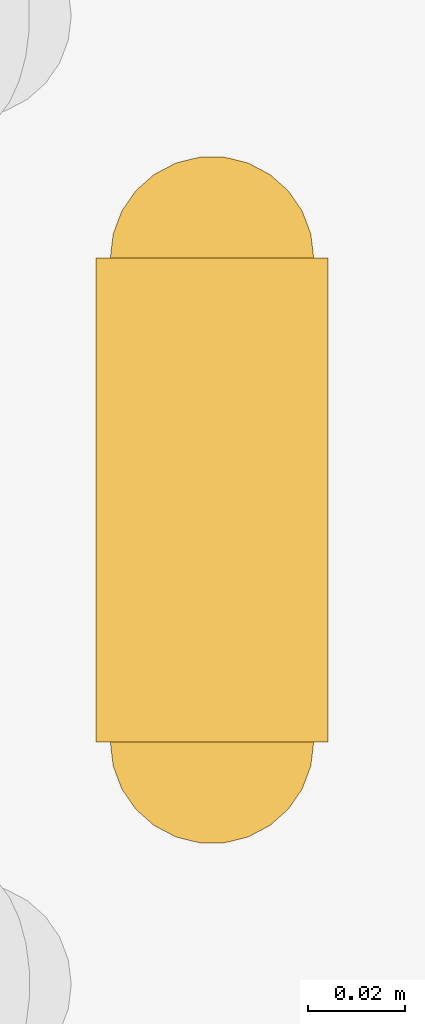
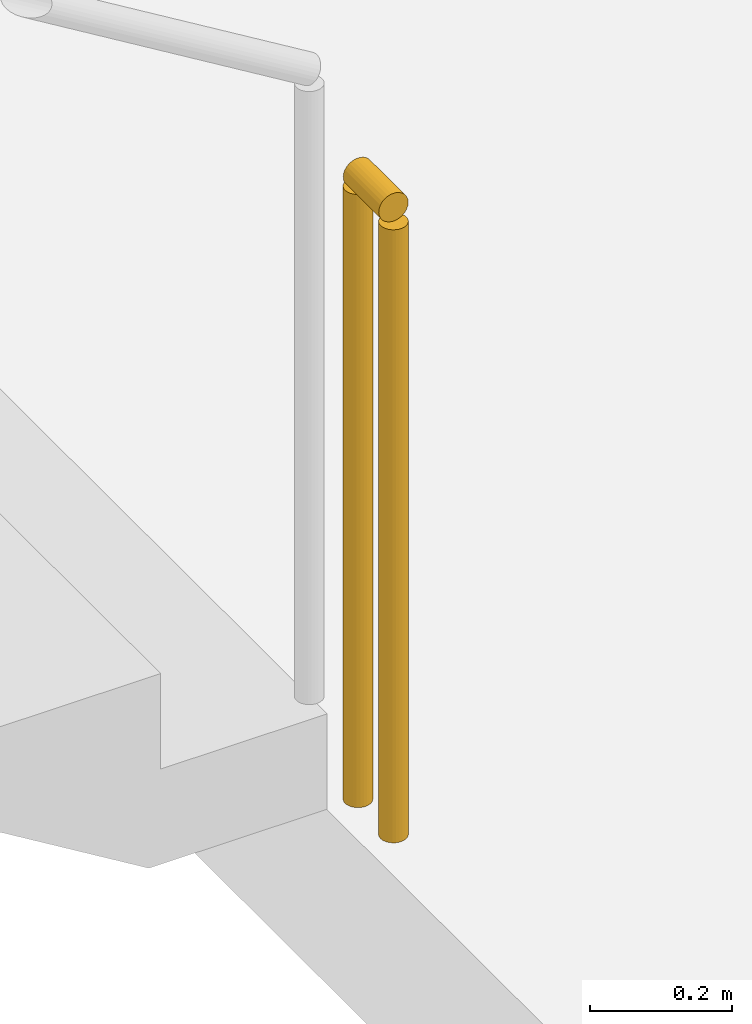
# One storey, part 14 of 16: 1 railing.
"""IFC4 building model written with IfcOpenShell, lengths in metres."""

from ifc_helpers import new_model, si_unit, direction, frame, origin, origin_2d, place, context, subcontext, project, spatial, circle, extrude, material, type_object, element, save


model = new_model("IFC4")

# Units and contexts
model_context = context("Model", 3, precision=1e-05, world=origin(), true_north=direction((0.0, 1.0)))
body_context = subcontext(model_context, "Body", "Model", "MODEL_VIEW")
ifc_project = project(units=[si_unit("LENGTHUNIT", "METRE"), si_unit("AREAUNIT", "SQUARE_METRE"), si_unit("VOLUMEUNIT", "CUBIC_METRE"), si_unit("PLANEANGLEUNIT", "RADIAN"), si_unit("MASSUNIT", "GRAM", prefix="KILO")], contexts=[model_context])

# Site, building, storey
site_placement = place(None, origin())
site = spatial("IfcSite", under=ifc_project, at=site_placement, CompositionType="ELEMENT")
building_placement = place(site_placement, origin())
building = spatial("IfcBuilding", under=site, at=building_placement, Name="Vermilion Reach Broadcast Tower", CompositionType="ELEMENT")
storey_placement = place(building_placement, frame((0.0, 0.0, 99.39990234375)))
storey = spatial("IfcBuildingStorey", under=building, at=storey_placement, Name="L22", CompositionType="ELEMENT", Elevation=99.39990234375)

# Railing
ifc_material = material(Name="Stainless steel", Category="steel")
railing_type = type_object("IfcRailingType", Name="Stair guard 1100", PredefinedType="GUARDRAIL", material=ifc_material)
railing_placement = place(storey_placement, frame((-0.949951171875, 5.639892578125, 0.0)))
element("IfcRailing", 1, at=railing_placement, inside=storey, type_object=railing_type, Name="L22 ST2 stair guard 4", PredefinedType="GUARDRAIL", context=body_context, shape_type="SweptSolid", body=[
    extrude(circle(Radius=0.02392578125, at=origin_2d()), frame((0.0, 0.0, 1.076171875), z_axis=(0.0, -1.0, 0.0), x_axis=(1.0, 0.0, 0.0)), (0.0, 0.0, 1.0), 0.099853515625),
    extrude(circle(Radius=0.02099609375, at=origin_2d()), origin(), (0.0, 0.0, 1.0), 1.052001953125),
    extrude(circle(Radius=0.02099609375, at=origin_2d()), frame((0.0, -0.099853515625, 0.0)), (0.0, 0.0, 1.0), 1.052001953125),
])

save(model, "model.ifc")
